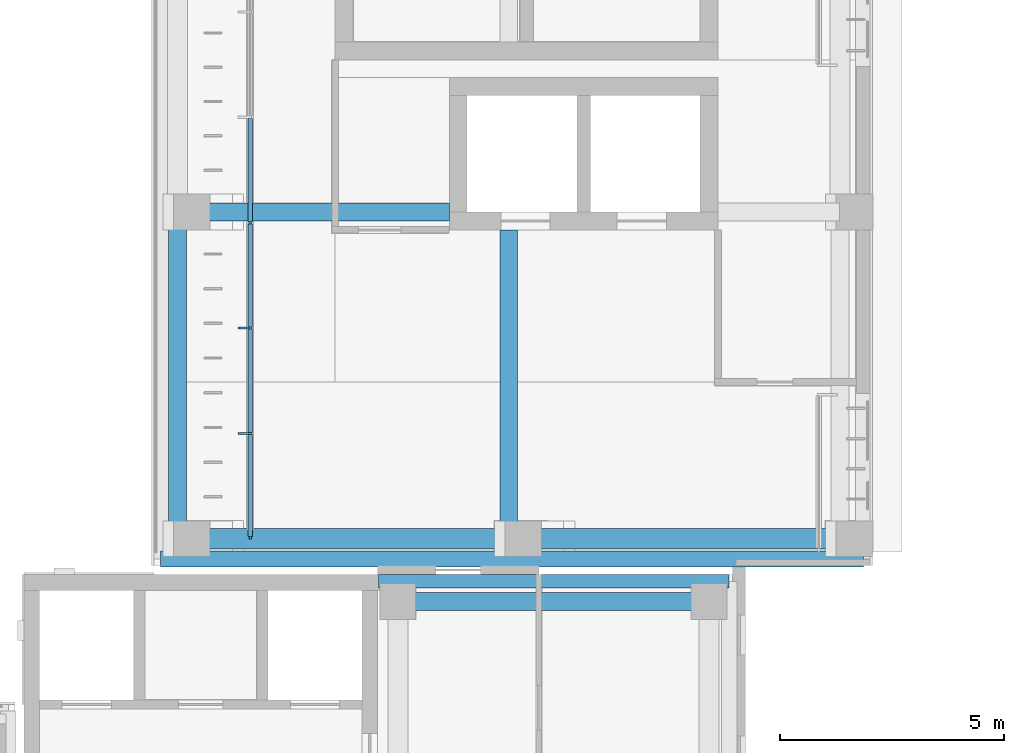
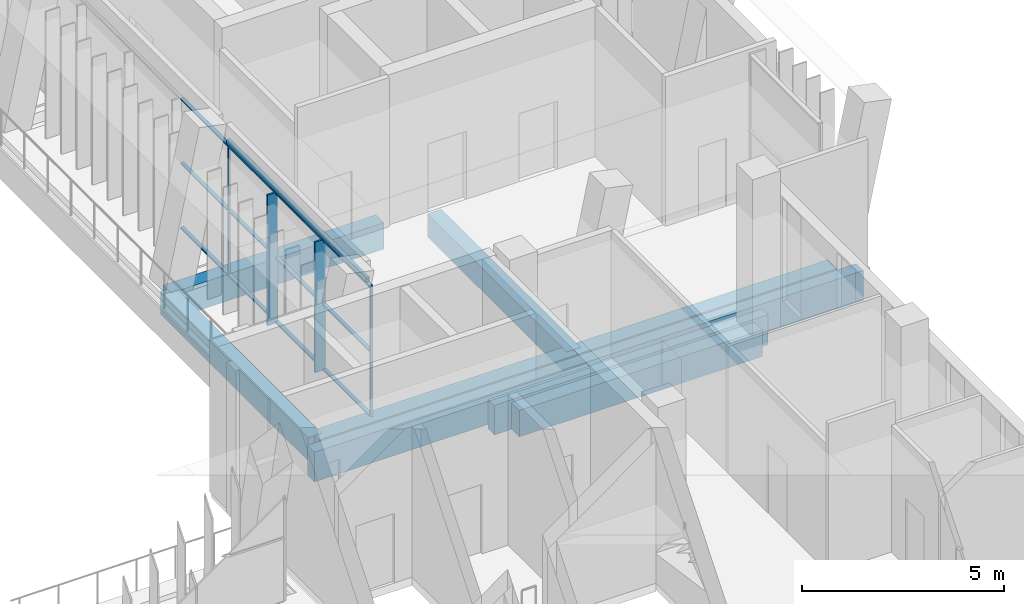
# One storey, part 38 of 89: 16 members, 9 beams, 1 element without a shape of its own.
"""IFC4 building model written with IfcOpenShell, lengths in metres."""

from ifc_helpers import new_model, si_unit, direction, frame, origin, origin_2d, place, context, subcontext, project, spatial, rectangle, hollow_rectangle, extrude, material, material_profile, profile_set, type_object, element, aggregate, save


model = new_model("IFC4")

# Units and contexts
model_context = context("Model", 3, precision=1e-05, world=origin(), true_north=direction((0.0, 1.0)))
body_context = subcontext(model_context, "Body", "Model", "MODEL_VIEW")
ifc_project = project(units=[si_unit("LENGTHUNIT", "METRE"), si_unit("AREAUNIT", "SQUARE_METRE"), si_unit("VOLUMEUNIT", "CUBIC_METRE"), si_unit("PLANEANGLEUNIT", "RADIAN"), si_unit("MASSUNIT", "GRAM", prefix="KILO")], contexts=[model_context])

# Site, building, storey
site_placement = place(None, origin())
site = spatial("IfcSite", under=ifc_project, at=site_placement, CompositionType="ELEMENT")
building_placement = place(site_placement, origin())
building = spatial("IfcBuilding", under=site, at=building_placement, Name="Lantern Court Media Centre", CompositionType="ELEMENT")
storey_placement = place(building_placement, frame((0.0, 0.0, 14.39990234375)))
storey = spatial("IfcBuildingStorey", under=building, at=storey_placement, Name="L03", CompositionType="ELEMENT", Elevation=14.39990234375)

# Curtain wall, members
ifc_material_1 = material(Name="Curtain wall bay 2400")
curtain_wall_type = type_object("IfcCurtainWallType", Name="Curtain wall bay 2400", PredefinedType="NOTDEFINED", material=ifc_material_1)
curtain_wall_placement = place(storey_placement, origin())
curtain_wall = element("IfcCurtainWall", 1, at=curtain_wall_placement, inside=storey, type_object=curtain_wall_type, Name="Curtain wall E inner L03", PredefinedType="NOTDEFINED")
ifc_material_2 = material(Name="Anodised aluminium", Category="aluminium")
ifc_material_profile_1 = material_profile(ifc_material_2, rectangle(XDim=0.300048828125, YDim=0.050048828125, at=origin_2d()), Name="AL 50x300")
ifc_profile_set_1 = profile_set([ifc_material_profile_1], Name="Anodised aluminium")
member_type_1 = type_object("IfcMemberType", Name="Curtain wall mullion 50x300", PredefinedType="MULLION", material=ifc_profile_set_1)
member_1_placement = place(storey_placement, frame((85.030029296875, 67.053955078125, 0.0), z_axis=(0.0, 0.0, 1.0), x_axis=(-1.0, 0.0, 0.0)))
member_1 = element("IfcMember", 2, at=member_1_placement, type_object=member_type_1, Name="CW2 mullion 2", PredefinedType="MULLION", context=body_context, shape_type="SweptSolid", body=[
    extrude(rectangle(XDim=0.300048828125, YDim=0.050048828125, at=origin_2d()), origin(), (0.0, 0.0, 1.0), 3.9501953125),
])
member_2_placement = place(storey_placement, frame((85.030029296875, 69.40771484375, 0.0), z_axis=(0.0, 0.0, 1.0), x_axis=(-1.0, 0.0, 0.0)))
member_2 = element("IfcMember", 3, at=member_2_placement, type_object=member_type_1, Name="CW2 mullion 3", PredefinedType="MULLION", context=body_context, shape_type="SweptSolid", body=[
    extrude(rectangle(XDim=0.300048828125, YDim=0.050048828125, at=origin_2d()), origin(), (0.0, 0.0, 1.0), 3.9501953125),
])
ifc_material_profile_2 = material_profile(ifc_material_2, rectangle(XDim=0.06005859375, YDim=0.050048828125, at=origin_2d()), Name="AL 50x60")
ifc_profile_set_2 = profile_set([ifc_material_profile_2], Name="Anodised aluminium")
member_type_2 = type_object("IfcMemberType", Name="Curtain wall mullion 50x60", PredefinedType="MULLION", material=ifc_profile_set_2)
member_3_placement = place(storey_placement, frame((85.14990234375, 64.72509765625, 0.0), z_axis=(0.0, 0.0, 1.0), x_axis=(-1.0, 0.0, 0.0)))
member_3 = element("IfcMember", 4, at=member_3_placement, type_object=member_type_2, Name="CW2 mullion 1", PredefinedType="MULLION", context=body_context, shape_type="SweptSolid", body=[
    extrude(rectangle(XDim=0.06005859375, YDim=0.050048828125, at=origin_2d()), origin(), (0.0, 0.0, 1.0), 3.9501953125),
])
member_4_placement = place(storey_placement, frame((85.14990234375, 71.761474609375, 0.0), z_axis=(0.0, 0.0, 1.0), x_axis=(-1.0, 0.0, 0.0)))
member_4 = element("IfcMember", 5, at=member_4_placement, type_object=member_type_2, Name="CW2 mullion 4", PredefinedType="MULLION", context=body_context, shape_type="SweptSolid", body=[
    extrude(rectangle(XDim=0.06005859375, YDim=0.050048828125, at=origin_2d()), origin(), (0.0, 0.0, 1.0), 3.9501953125),
])
ifc_material_profile_3 = material_profile(ifc_material_2, rectangle(XDim=0.10009765625, YDim=0.050048828125, at=origin_2d()), Name="AL 50x100")
ifc_profile_set_3 = profile_set([ifc_material_profile_3], Name="Anodised aluminium")
member_type_3 = type_object("IfcMemberType", Name="Curtain wall transom 100x50", PredefinedType="USERDEFINED", material=ifc_profile_set_3)
member_5_placement = place(storey_placement, frame((85.14990234375, 64.75, 0.025146484375), z_axis=(0.0, 1.0, 0.0), x_axis=(-1.0, 0.0, 0.0)))
member_5 = element("IfcMember", 6, at=member_5_placement, type_object=member_type_3, Name="CW2 transom 1.1", ObjectType="TRANSOM", PredefinedType="USERDEFINED", context=body_context, shape_type="SweptSolid", body=[
    extrude(rectangle(XDim=0.10009765625, YDim=0.050048828125, at=origin_2d()), origin(), (0.0, 0.0, 1.0), 2.27880859375),
])
member_6_placement = place(storey_placement, frame((85.14990234375, 64.75, 1.97509765625), z_axis=(0.0, 1.0, 0.0), x_axis=(-1.0, 0.0, 0.0)))
member_6 = element("IfcMember", 7, at=member_6_placement, type_object=member_type_3, Name="CW2 transom 1.2", ObjectType="TRANSOM", PredefinedType="USERDEFINED", context=body_context, shape_type="SweptSolid", body=[
    extrude(rectangle(XDim=0.10009765625, YDim=0.050048828125, at=origin_2d()), origin(), (0.0, 0.0, 1.0), 2.27880859375),
])
member_7_placement = place(storey_placement, frame((85.14990234375, 64.75, 3.925048828125), z_axis=(0.0, 1.0, 0.0), x_axis=(-1.0, 0.0, 0.0)))
member_7 = element("IfcMember", 8, at=member_7_placement, type_object=member_type_3, Name="CW2 transom 1.3", ObjectType="TRANSOM", PredefinedType="USERDEFINED", context=body_context, shape_type="SweptSolid", body=[
    extrude(rectangle(XDim=0.10009765625, YDim=0.050048828125, at=origin_2d()), origin(), (0.0, 0.0, 1.0), 2.27880859375),
])
member_8_placement = place(storey_placement, frame((85.14990234375, 67.078857421875, 0.025146484375), z_axis=(0.0, 1.0, 0.0), x_axis=(-1.0, 0.0, 0.0)))
member_8 = element("IfcMember", 9, at=member_8_placement, type_object=member_type_3, Name="CW2 transom 2.1", ObjectType="TRANSOM", PredefinedType="USERDEFINED", context=body_context, shape_type="SweptSolid", body=[
    extrude(rectangle(XDim=0.10009765625, YDim=0.050048828125, at=origin_2d()), origin(), (0.0, 0.0, 1.0), 2.303955078125),
])
member_9_placement = place(storey_placement, frame((85.14990234375, 67.078857421875, 1.97509765625), z_axis=(0.0, 1.0, 0.0), x_axis=(-1.0, 0.0, 0.0)))
member_9 = element("IfcMember", 10, at=member_9_placement, type_object=member_type_3, Name="CW2 transom 2.2", ObjectType="TRANSOM", PredefinedType="USERDEFINED", context=body_context, shape_type="SweptSolid", body=[
    extrude(rectangle(XDim=0.10009765625, YDim=0.050048828125, at=origin_2d()), origin(), (0.0, 0.0, 1.0), 2.303955078125),
])
member_10_placement = place(storey_placement, frame((85.14990234375, 67.078857421875, 3.925048828125), z_axis=(0.0, 1.0, 0.0), x_axis=(-1.0, 0.0, 0.0)))
member_10 = element("IfcMember", 11, at=member_10_placement, type_object=member_type_3, Name="CW2 transom 2.3", ObjectType="TRANSOM", PredefinedType="USERDEFINED", context=body_context, shape_type="SweptSolid", body=[
    extrude(rectangle(XDim=0.10009765625, YDim=0.050048828125, at=origin_2d()), origin(), (0.0, 0.0, 1.0), 2.303955078125),
])
member_11_placement = place(storey_placement, frame((85.14990234375, 69.4326171875, 0.025146484375), z_axis=(0.0, 1.0, 0.0), x_axis=(-1.0, 0.0, 0.0)))
member_11 = element("IfcMember", 12, at=member_11_placement, type_object=member_type_3, Name="CW2 transom 3.1", ObjectType="TRANSOM", PredefinedType="USERDEFINED", context=body_context, shape_type="SweptSolid", body=[
    extrude(rectangle(XDim=0.10009765625, YDim=0.050048828125, at=origin_2d()), origin(), (0.0, 0.0, 1.0), 2.303955078125),
])
member_12_placement = place(storey_placement, frame((85.14990234375, 69.4326171875, 1.97509765625), z_axis=(0.0, 1.0, 0.0), x_axis=(-1.0, 0.0, 0.0)))
member_12 = element("IfcMember", 13, at=member_12_placement, type_object=member_type_3, Name="CW2 transom 3.2", ObjectType="TRANSOM", PredefinedType="USERDEFINED", context=body_context, shape_type="SweptSolid", body=[
    extrude(rectangle(XDim=0.10009765625, YDim=0.050048828125, at=origin_2d()), origin(), (0.0, 0.0, 1.0), 2.303955078125),
])
member_13_placement = place(storey_placement, frame((85.14990234375, 69.4326171875, 3.925048828125), z_axis=(0.0, 1.0, 0.0), x_axis=(-1.0, 0.0, 0.0)))
member_13 = element("IfcMember", 14, at=member_13_placement, type_object=member_type_3, Name="CW2 transom 3.3", ObjectType="TRANSOM", PredefinedType="USERDEFINED", context=body_context, shape_type="SweptSolid", body=[
    extrude(rectangle(XDim=0.10009765625, YDim=0.050048828125, at=origin_2d()), origin(), (0.0, 0.0, 1.0), 2.303955078125),
])
member_14_placement = place(storey_placement, frame((85.14990234375, 71.78662109375, 0.025146484375), z_axis=(0.0, 1.0, 0.0), x_axis=(-1.0, 0.0, 0.0)))
member_14 = element("IfcMember", 15, at=member_14_placement, type_object=member_type_3, Name="CW2 transom 4.1", ObjectType="TRANSOM", PredefinedType="USERDEFINED", context=body_context, shape_type="SweptSolid", body=[
    extrude(rectangle(XDim=0.10009765625, YDim=0.050048828125, at=origin_2d()), origin(), (0.0, 0.0, 1.0), 2.3037109375),
])
member_15_placement = place(storey_placement, frame((85.14990234375, 71.78662109375, 1.97509765625), z_axis=(0.0, 1.0, 0.0), x_axis=(-1.0, 0.0, 0.0)))
member_15 = element("IfcMember", 16, at=member_15_placement, type_object=member_type_3, Name="CW2 transom 4.2", ObjectType="TRANSOM", PredefinedType="USERDEFINED", context=body_context, shape_type="SweptSolid", body=[
    extrude(rectangle(XDim=0.10009765625, YDim=0.050048828125, at=origin_2d()), origin(), (0.0, 0.0, 1.0), 2.3037109375),
])
member_16_placement = place(storey_placement, frame((85.14990234375, 71.78662109375, 3.925048828125), z_axis=(0.0, 1.0, 0.0), x_axis=(-1.0, 0.0, 0.0)))
member_16 = element("IfcMember", 17, at=member_16_placement, type_object=member_type_3, Name="CW2 transom 4.3", ObjectType="TRANSOM", PredefinedType="USERDEFINED", context=body_context, shape_type="SweptSolid", body=[
    extrude(rectangle(XDim=0.10009765625, YDim=0.050048828125, at=origin_2d()), origin(), (0.0, 0.0, 1.0), 2.3037109375),
])
aggregate(curtain_wall, [member_3, member_1, member_2, member_4, member_5, member_6, member_7, member_8, member_9, member_10, member_11, member_12, member_13, member_14, member_15, member_16])

# Beams
ifc_material_3 = material(Name="Steel S355J2 (EN 10025-2)", Category="steel")
ifc_material_profile_4 = material_profile(ifc_material_3, hollow_rectangle(XDim=0.10009765625, YDim=0.14990234375, WallThickness=0.00634765625, InnerFilletRadius=0.00634765625, OuterFilletRadius=0.009521484375, at=origin_2d()), Name="Facade head lintel RHS 150x100x6.3")
ifc_profile_set_4 = profile_set([ifc_material_profile_4], Name="Steel S355J2 (EN 10025-2)")
beam_type_1 = type_object("IfcBeamType", Name="Facade head lintel RHS 150x100x6.3", PredefinedType="BEAM", material=ifc_profile_set_4)
beam_1_placement = place(storey_placement, frame((85.14990234375, 64.89990234375, 4.025146484375), z_axis=(0.0, 1.0, 0.0), x_axis=(-1.0, 0.0, 0.0)))
element("IfcBeam", 18, at=beam_1_placement, inside=storey, type_object=beam_type_1, Name="Facade head lintel E L03", PredefinedType="BEAM", context=body_context, shape_type="SweptSolid", body=[
    extrude(hollow_rectangle(XDim=0.10009765625, YDim=0.14990234375, WallThickness=0.00634765625, InnerFilletRadius=0.00634765625, OuterFilletRadius=0.009521484375, at=origin_2d()), origin(), (0.0, 0.0, 1.0), 6.900146484375),
])
ifc_material_4 = material(Name="Concrete C35", Category="concrete")
ifc_material_profile_5 = material_profile(ifc_material_4, rectangle(XDim=0.300048828125, YDim=0.89990234375, at=origin_2d()), Name="RC 300x900")
ifc_profile_set_5 = profile_set([ifc_material_profile_5], Name="Concrete C35")
beam_type_2 = type_object("IfcBeamType", Name="RC BEAM 300x900", PredefinedType="BEAM", material=ifc_profile_set_5)
beam_2_placement = place(storey_placement, frame((88.02001953125, 63.75, -0.449951171875), z_axis=(1.0, 0.0, 0.0), x_axis=(0.0, 1.0, 0.0)))
element("IfcBeam", 19, at=beam_2_placement, inside=storey, type_object=beam_type_2, Name="EB-SE-L03-N", PredefinedType="BEAM", context=body_context, shape_type="SweptSolid", body=[
    extrude(rectangle(XDim=0.300048828125, YDim=0.89990234375, at=origin_2d()), origin(), (0.0, 0.0, 1.0), 7.830078125),
])
ifc_material_profile_6 = material_profile(ifc_material_4, rectangle(XDim=0.35009765625, YDim=0.89990234375, at=origin_2d()), Name="RC 350x900")
ifc_profile_set_6 = profile_set([ifc_material_profile_6], Name="Concrete C35")
beam_type_3 = type_object("IfcBeamType", Name="RC BEAM 350x900", PredefinedType="BEAM", material=ifc_profile_set_6)
beam_3_placement = place(storey_placement, frame((83.14990234375, 64.25, -0.449951171875), z_axis=(1.0, 0.0, 0.0), x_axis=(0.0, 1.0, 0.0)))
element("IfcBeam", 20, at=beam_3_placement, inside=storey, type_object=beam_type_3, Name="EB-E-L03-C", PredefinedType="BEAM", context=body_context, shape_type="SweptSolid", body=[
    extrude(rectangle(XDim=0.35009765625, YDim=0.89990234375, at=origin_2d()), origin(), (0.0, 0.0, 1.0), 15.7001953125),
])
ifc_material_profile_7 = material_profile(ifc_material_4, rectangle(XDim=0.39990234375, YDim=0.699951171875, at=origin_2d()), Name="RC 400x700")
ifc_profile_set_7 = profile_set([ifc_material_profile_7], Name="Concrete C35")
beam_type_4 = type_object("IfcBeamType", Name="RC BEAM 400x700", PredefinedType="BEAM", material=ifc_profile_set_7)
beam_4_placement = place(storey_placement, frame((83.527099609375, 64.699951171875, -0.349853515625), z_axis=(0.0, 1.0, 0.0), x_axis=(-1.0, 0.0, 0.0)))
element("IfcBeam", 21, at=beam_4_placement, inside=storey, type_object=beam_type_4, Name="LB-E-L03-0-0", PredefinedType="BEAM", context=body_context, shape_type="SweptSolid", body=[
    extrude(rectangle(XDim=0.39990234375, YDim=0.699951171875, at=origin_2d()), origin(), (0.0, 0.0, 1.0), 7.300048828125),
])
beam_5_placement = place(storey_placement, frame((90.927001953125, 64.699951171875, -0.349853515625), z_axis=(0.0, 1.0, 0.0), x_axis=(-1.0, 0.0, 0.0)))
element("IfcBeam", 22, at=beam_5_placement, inside=storey, type_object=beam_type_4, Name="LB-E-L03-1-0", PredefinedType="BEAM", context=body_context, shape_type="SweptSolid", body=[
    extrude(rectangle(XDim=0.39990234375, YDim=0.699951171875, at=origin_2d()), origin(), (0.0, 0.0, 1.0), 6.900146484375),
])
ifc_material_profile_8 = material_profile(ifc_material_4, rectangle(XDim=0.39990234375, YDim=0.800048828125, at=origin_2d()), Name="RC 400x800")
ifc_profile_set_8 = profile_set([ifc_material_profile_8], Name="Concrete C35")
beam_type_5 = type_object("IfcBeamType", Name="RC BEAM 400x800", PredefinedType="BEAM", material=ifc_profile_set_8)
beam_6_placement = place(storey_placement, frame((88.449951171875, 63.300048828125, -0.39990234375), z_axis=(1.0, 0.0, 0.0), x_axis=(0.0, 1.0, 0.0)))
element("IfcBeam", 23, at=beam_6_placement, inside=storey, type_object=beam_type_5, Name="BB-SE-L03-Y0-63", PredefinedType="BEAM", context=body_context, shape_type="SweptSolid", body=[
    extrude(rectangle(XDim=0.39990234375, YDim=0.800048828125, at=origin_2d()), origin(), (0.0, 0.0, 1.0), 6.949951171875),
])
beam_7_placement = place(storey_placement, frame((83.5166015625, 72.0, -0.39990234375), z_axis=(1.0, 0.0, 0.0), x_axis=(0.0, 1.0, 0.0)))
element("IfcBeam", 24, at=beam_7_placement, inside=storey, type_object=beam_type_5, Name="TB-E-L03-1-1", PredefinedType="BEAM", context=body_context, shape_type="SweptSolid", body=[
    extrude(rectangle(XDim=0.39990234375, YDim=0.800048828125, at=origin_2d()), origin(), (0.0, 0.0, 1.0), 6.08349609375),
])
ifc_material_profile_9 = material_profile(ifc_material_4, rectangle(XDim=0.449951171875, YDim=0.800048828125, at=origin_2d()), Name="RC 450x800")
ifc_profile_set_9 = profile_set([ifc_material_profile_9], Name="Concrete C35")
beam_type_6 = type_object("IfcBeamType", Name="RC BEAM 450x800", PredefinedType="BEAM", material=ifc_profile_set_9)
beam_8_placement = place(storey_placement, frame((83.5166015625, 64.699951171875, -0.39990234375), z_axis=(1.0, 0.0, 0.0), x_axis=(0.0, 1.0, 0.0)))
element("IfcBeam", 25, at=beam_8_placement, inside=storey, type_object=beam_type_6, Name="TB-E-L03-0-1", PredefinedType="BEAM", context=body_context, shape_type="SweptSolid", body=[
    extrude(rectangle(XDim=0.449951171875, YDim=0.800048828125, at=origin_2d()), origin(), (0.0, 0.0, 1.0), 7.400146484375),
])
beam_9_placement = place(storey_placement, frame((90.916748046875, 64.699951171875, -0.39990234375), z_axis=(1.0, 0.0, 0.0), x_axis=(0.0, 1.0, 0.0)))
element("IfcBeam", 26, at=beam_9_placement, inside=storey, type_object=beam_type_6, Name="TB-E-L03-0-2", PredefinedType="BEAM", context=body_context, shape_type="SweptSolid", body=[
    extrude(rectangle(XDim=0.449951171875, YDim=0.800048828125, at=origin_2d()), origin(), (0.0, 0.0, 1.0), 7.39990234375),
])

save(model, "model.ifc")
